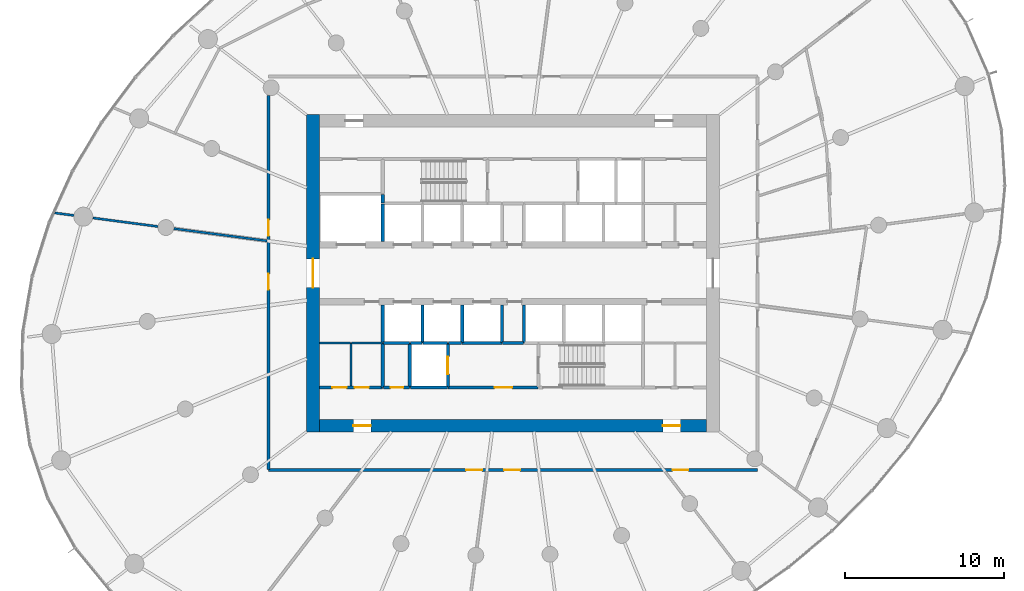
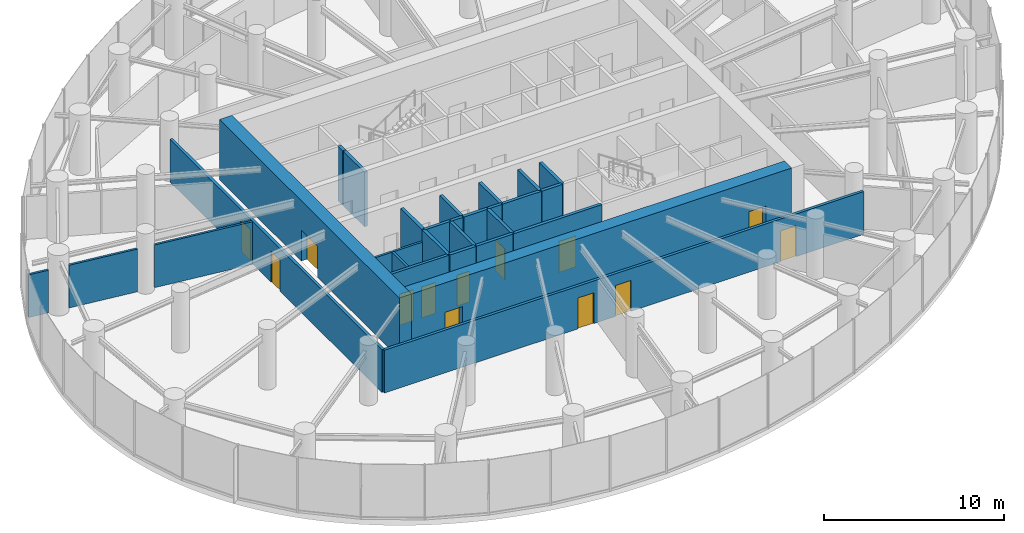
# One storey, part 11 of 18: 30 walls, 13 doors, 13 openings.
"""IFC4 building model written with IfcOpenShell, lengths in metres."""

from ifc_helpers import new_model, si_unit, direction, frame, frame_2d, origin, place, context, subcontext, project, spatial, rectangle, extrude, source, transform, mapped, material, layer, layer_set, type_object, element, fill, save


model = new_model("IFC4")

# Units and contexts
model_context = context("Model", 3, precision=1e-05, world=origin(), true_north=direction((0.0, 1.0)))
body_context = subcontext(model_context, "Body", "Model", "MODEL_VIEW")
ifc_project = project(units=[si_unit("LENGTHUNIT", "METRE"), si_unit("AREAUNIT", "SQUARE_METRE"), si_unit("VOLUMEUNIT", "CUBIC_METRE"), si_unit("PLANEANGLEUNIT", "RADIAN"), si_unit("MASSUNIT", "GRAM", prefix="KILO")], contexts=[model_context])

# Site, building, storey
site_placement = place(None, origin())
site = spatial("IfcSite", under=ifc_project, at=site_placement, CompositionType="ELEMENT")
building_placement = place(site_placement, origin())
building = spatial("IfcBuilding", under=site, at=building_placement, Name="Spindrift Exchange Tower", CompositionType="ELEMENT")
storey_placement = place(building_placement, frame((0.0, 0.0, 116.699951171875)))
storey = spatial("IfcBuildingStorey", under=building, at=storey_placement, Name="L27", CompositionType="ELEMENT", Elevation=116.699951171875)

# Wall, opening, door
ifc_material_1 = material(Name="Concrete 65 MPa", Category="concrete")
ifc_layer_1 = layer(ifc_material_1, 0.800048828125)
ifc_layer_set_1 = layer_set([ifc_layer_1], Name="RC Core Wall 800 Concrete 65 MPa")
wall_type_1 = type_object("IfcWallType", Name="RC Core Wall 800 Concrete 65 MPa", PredefinedType="SHEAR", material=ifc_layer_set_1)
wall_1_placement = place(storey_placement, frame((39.39990234375, 58.0, 0.0), z_axis=(0.0, 0.0, 1.0), x_axis=(0.0, -1.0, 0.0)))
wall_1 = element("IfcWall", 1, at=wall_1_placement, inside=storey, type_object=wall_type_1, Name="Core wall W L27", PredefinedType="SHEAR", context=body_context, shape_type="SweptSolid", body=[
    extrude(rectangle(XDim=20.0, YDim=0.800048828125, at=frame_2d((10.0, 0.0))), origin(), (0.0, 0.0, 1.0), 4.10009765625),
])
opening_1_placement = place(wall_1_placement, frame((9.10009765625, 0.0, 0.0)))
opening_1 = element("IfcOpeningElement", 2, at=opening_1_placement, cuts=wall_1, Name="Opening L27-D1", PredefinedType="OPENING", context=body_context, shape_type="SweptSolid", body=[
    extrude(rectangle(XDim=1.800048828125, YDim=2.10009765625, at=frame_2d((0.89990234375, 1.050048828125))), frame((0.0, 0.409912109375, 0.0), z_axis=(0.0, -1.0, 0.0), x_axis=(1.0, 0.0, 0.0)), (0.0, 0.0, 1.0), 0.820068359375),
])
ifc_material_2 = material(Name="Timber-core fire door", Category="wood")
door_type_1 = type_object("IfcDoorType", Name="DR-LOBBY-1800", OperationType="NOTDEFINED", PredefinedType="DOOR", material=ifc_material_2)
shared_shape_1 = source(origin(), body_context, "Body", "SweptSolid", [
    extrude(rectangle(XDim=1.800048828125, YDim=2.10009765625, at=frame_2d((0.89990234375, 1.050048828125))), frame((0.0, 0.02490234375, 0.0), z_axis=(0.0, -1.0, 0.0), x_axis=(1.0, 0.0, 0.0)), (0.0, 0.0, 1.0), 0.050048828125),
])
door_1_placement = place(opening_1_placement, origin())
door_1 = element("IfcDoor", 3, at=door_1_placement, inside=storey, type_object=door_type_1, Name="L27 Lobby door 1", OperationType="SINGLE_SWING_RIGHT", OverallHeight=2.10009765625, OverallWidth=1.800048828125, PredefinedType="DOOR", context=body_context, shape_type="MappedRepresentation", body=[
    mapped(shared_shape_1, transform((0.0, 0.0, 0.0), scale=1.0)),
])
fill(opening_1, door_1)

# Wall, openings, doors
wall_2_placement = place(storey_placement, frame((39.800048828125, 38.39990234375, 0.0), z_axis=(0.0, 0.0, 1.0), x_axis=(1.0, 0.0, 0.0)))
wall_2 = element("IfcWall", 4, at=wall_2_placement, inside=storey, type_object=wall_type_1, Name="Core wall S L27", PredefinedType="SHEAR", context=body_context, shape_type="SweptSolid", body=[
    extrude(rectangle(XDim=24.39990234375, YDim=0.800048828125, at=frame_2d((12.199951171875, 0.0))), origin(), (0.0, 0.0, 1.0), 4.10009765625),
])
opening_2_placement = place(wall_2_placement, frame((21.64990234375, 0.0, 0.0)))
opening_2 = element("IfcOpeningElement", 5, at=opening_2_placement, cuts=wall_2, Name="Opening L27-D22", PredefinedType="OPENING", context=body_context, shape_type="SweptSolid", body=[
    extrude(rectangle(XDim=1.10009765625, YDim=2.10009765625, at=frame_2d((0.550048828125, 1.050048828125))), frame((0.0, 0.409912109375, 0.0), z_axis=(0.0, -1.0, 0.0), x_axis=(1.0, 0.0, 0.0)), (0.0, 0.0, 1.0), 0.820068359375),
])
opening_3_placement = place(wall_2_placement, frame((2.14990234375, 0.0, 0.0)))
opening_3 = element("IfcOpeningElement", 6, at=opening_3_placement, cuts=wall_2, Name="Opening L27-D23", PredefinedType="OPENING", context=body_context, shape_type="SweptSolid", body=[
    extrude(rectangle(XDim=1.10009765625, YDim=2.10009765625, at=frame_2d((0.550048828125, 1.050048828125))), frame((0.0, 0.409912109375, 0.0), z_axis=(0.0, -1.0, 0.0), x_axis=(1.0, 0.0, 0.0)), (0.0, 0.0, 1.0), 0.820068359375),
])
ifc_material_3 = material(Name="Steel fire door", Category="steel")
door_type_2 = type_object("IfcDoorType", Name="DR-STAIR-1100", OperationType="NOTDEFINED", PredefinedType="DOOR", material=ifc_material_3)
shared_shape_2 = source(origin(), body_context, "Body", "SweptSolid", [
    extrude(rectangle(XDim=1.10009765625, YDim=2.10009765625, at=frame_2d((0.550048828125, 1.050048828125))), frame((0.0, 0.02490234375, 0.0), z_axis=(0.0, -1.0, 0.0), x_axis=(1.0, 0.0, 0.0)), (0.0, 0.0, 1.0), 0.050048828125),
])
door_2_placement = place(opening_2_placement, origin())
door_2 = element("IfcDoor", 7, at=door_2_placement, inside=storey, type_object=door_type_2, Name="L27 Stair door 22", OperationType="SINGLE_SWING_LEFT", OverallHeight=2.10009765625, OverallWidth=1.10009765625, PredefinedType="DOOR", context=body_context, shape_type="MappedRepresentation", body=[
    mapped(shared_shape_2, transform((0.0, 0.0, 0.0), scale=1.0)),
])
fill(opening_2, door_2)
door_3_placement = place(opening_3_placement, origin())
door_3 = element("IfcDoor", 8, at=door_3_placement, inside=storey, type_object=door_type_2, Name="L27 Stair door 23", OperationType="SINGLE_SWING_RIGHT", OverallHeight=2.10009765625, OverallWidth=1.10009765625, PredefinedType="DOOR", context=body_context, shape_type="MappedRepresentation", body=[
    mapped(shared_shape_2, transform((0.0, 0.0, 0.0), scale=1.0)),
])
fill(opening_3, door_3)

ifc_material_4 = material(Name="Fire-rated plasterboard partition", Category="gypsum")
ifc_layer_2 = layer(ifc_material_4, 0.179931640625)
ifc_layer_set_2 = layer_set([ifc_layer_2], Name="W-CORR-180")
wall_type_2 = type_object("IfcWallType", Name="W-CORR-180", PredefinedType="PARTITIONING", material=ifc_layer_set_2)
wall_3_placement = place(storey_placement, frame((39.820068359375, 40.800048828125, 0.0), z_axis=(0.0, 0.0, 1.0), x_axis=(1.0, 0.0, 0.0)))
wall_3 = element("IfcWall", 9, at=wall_3_placement, inside=storey, type_object=wall_type_2, Name="L27 Partition wall 63", PredefinedType="PARTITIONING", context=body_context, shape_type="SweptSolid", body=[
    extrude(rectangle(XDim=3.949951171875, YDim=0.179931640625, at=frame_2d((1.97509765625, 0.0))), origin(), (0.0, 0.0, 1.0), 3.699951171875),
])
opening_4_placement = place(wall_3_placement, frame((0.800048828125, 0.0, 0.0)))
opening_4 = element("IfcOpeningElement", 10, at=opening_4_placement, cuts=wall_3, Name="Opening L27-D44", PredefinedType="OPENING", context=body_context, shape_type="SweptSolid", body=[
    extrude(rectangle(XDim=0.89990234375, YDim=2.10009765625, at=frame_2d((0.449951171875, 1.050048828125))), frame((0.0, 0.099853515625, 0.0), z_axis=(0.0, -1.0, 0.0), x_axis=(1.0, 0.0, 0.0)), (0.0, 0.0, 1.0), 0.199951171875),
])
opening_5_placement = place(wall_3_placement, frame((2.199951171875, 0.0, 0.0)))
opening_5 = element("IfcOpeningElement", 11, at=opening_5_placement, cuts=wall_3, Name="Opening L27-D45", PredefinedType="OPENING", context=body_context, shape_type="SweptSolid", body=[
    extrude(rectangle(XDim=0.89990234375, YDim=2.10009765625, at=frame_2d((0.449951171875, 1.050048828125))), frame((0.0, 0.099853515625, 0.0), z_axis=(0.0, -1.0, 0.0), x_axis=(1.0, 0.0, 0.0)), (0.0, 0.0, 1.0), 0.199951171875),
])
ifc_material_5 = material(Name="Steel access door", Category="steel")
door_type_3 = type_object("IfcDoorType", Name="DR-RISER-900", OperationType="NOTDEFINED", PredefinedType="DOOR", material=ifc_material_5)
shared_shape_3 = source(origin(), body_context, "Body", "SweptSolid", [
    extrude(rectangle(XDim=0.89990234375, YDim=2.10009765625, at=frame_2d((0.449951171875, 1.050048828125))), frame((0.0, 0.02490234375, 0.0), z_axis=(0.0, -1.0, 0.0), x_axis=(1.0, 0.0, 0.0)), (0.0, 0.0, 1.0), 0.050048828125),
])
door_4_placement = place(opening_4_placement, origin())
door_4 = element("IfcDoor", 12, at=door_4_placement, inside=storey, type_object=door_type_3, Name="L27 Riser door 44", OperationType="SINGLE_SWING_LEFT", OverallHeight=2.10009765625, OverallWidth=0.89990234375, PredefinedType="DOOR", context=body_context, shape_type="MappedRepresentation", body=[
    mapped(shared_shape_3, transform((0.0, 0.0, 0.0), scale=1.0)),
])
fill(opening_4, door_4)
door_5_placement = place(opening_5_placement, origin())
door_5 = element("IfcDoor", 13, at=door_5_placement, inside=storey, type_object=door_type_3, Name="L27 Riser door 45", OperationType="SINGLE_SWING_RIGHT", OverallHeight=2.10009765625, OverallWidth=0.89990234375, PredefinedType="DOOR", context=body_context, shape_type="MappedRepresentation", body=[
    mapped(shared_shape_3, transform((0.0, 0.0, 0.0), scale=1.0)),
])
fill(opening_5, door_5)

# Walls
ifc_layer_3 = layer(ifc_material_4, 0.139892578125)
ifc_layer_set_3 = layer_set([ifc_layer_3], Name="W-PART-140")
wall_type_3 = type_object("IfcWallType", Name="W-PART-140", PredefinedType="PARTITIONING", material=ifc_layer_set_3)
wall_4_placement = place(storey_placement, frame((41.800048828125, 40.889892578125, 0.0), z_axis=(0.0, 0.0, 1.0), x_axis=(0.0, 1.0, 0.0)))
element("IfcWall", 14, at=wall_4_placement, inside=storey, type_object=wall_type_3, Name="L27 Partition wall 91", PredefinedType="PARTITIONING", context=body_context, shape_type="SweptSolid", body=[
    extrude(rectangle(XDim=2.710205078125, YDim=0.139892578125, at=frame_2d((1.35498046875, 0.0))), origin(), (0.0, 0.0, 1.0), 2.900146484375),
])
wall_5_placement = place(storey_placement, frame((43.77001953125, 43.60009765625, 0.0), z_axis=(0.0, 0.0, 1.0), x_axis=(-1.0, 0.0, 0.0)))
element("IfcWall", 15, at=wall_5_placement, inside=storey, type_object=wall_type_3, Name="L27 Partition wall 100", PredefinedType="PARTITIONING", context=body_context, shape_type="SweptSolid", body=[
    extrude(rectangle(XDim=1.93994140625, YDim=0.139892578125, at=frame_2d((0.969970703125, 0.0))), origin(), (0.0, 0.0, 1.0), 2.900146484375),
])
wall_6_placement = place(storey_placement, frame((41.77001953125, 43.60009765625, 0.0), z_axis=(0.0, 0.0, 1.0), x_axis=(-1.0, 0.0, 0.0)))
element("IfcWall", 16, at=wall_6_placement, inside=storey, type_object=wall_type_3, Name="L27 Partition wall 105", PredefinedType="PARTITIONING", context=body_context, shape_type="SweptSolid", body=[
    extrude(rectangle(XDim=1.949951171875, YDim=0.139892578125, at=frame_2d((0.97509765625, 0.0))), origin(), (0.0, 0.0, 1.0), 2.900146484375),
])
ifc_layer_4 = layer(ifc_material_4, 0.139892578125)
ifc_layer_set_4 = layer_set([ifc_layer_4], Name="W-PLANT-140")
wall_type_4 = type_object("IfcWallType", Name="W-PLANT-140", PredefinedType="PARTITIONING", material=ifc_layer_set_4)
wall_7_placement = place(storey_placement, frame((36.510009765625, 50.039306640625, 0.0), z_axis=(0.0, 0.0, 1.0), x_axis=(-0.991445034615, 0.130524876315, 0.0)))
element("IfcWall", 17, at=wall_7_placement, inside=storey, type_object=wall_type_4, Name="L27 Partition wall 71", PredefinedType="PARTITIONING", context=body_context, shape_type="SweptSolid", body=[
    extrude(rectangle(XDim=5.923828125, YDim=0.139892578125, at=frame_2d((2.9619140625, 0.0))), origin(), (0.0, 0.0, 1.0), 2.900146484375),
])
wall_8_placement = place(storey_placement, frame((29.63671875, 50.944091796875, 0.0), z_axis=(0.0, 0.0, 1.0), x_axis=(-0.991445054296, 0.130524726824, 0.0)))
element("IfcWall", 18, at=wall_8_placement, inside=storey, type_object=wall_type_4, Name="L27 Partition wall 86", PredefinedType="PARTITIONING", context=body_context, shape_type="SweptSolid", body=[
    extrude(rectangle(XDim=4.137451171875, YDim=0.139892578125, at=frame_2d((2.06884765625, 0.0))), origin(), (0.0, 0.0, 1.0), 2.900146484375),
])
wall_9_placement = place(storey_placement, frame((24.336181640625, 51.64208984375, 0.0), z_axis=(0.0, 0.0, 1.0), x_axis=(-0.991444694364, 0.130527460778, 0.0)))
element("IfcWall", 19, at=wall_9_placement, inside=storey, type_object=wall_type_4, Name="L27 Partition wall 115", PredefinedType="PARTITIONING", context=body_context, shape_type="SweptSolid", body=[
    extrude(rectangle(XDim=1.2119140625, YDim=0.139892578125, at=frame_2d((0.60595703125, 0.0))), origin(), (0.0, 0.0, 1.0), 2.900146484375),
])

# Wall, openings, doors
ifc_layer_5 = layer(ifc_material_4, 0.179931640625)
ifc_layer_set_5 = layer_set([ifc_layer_5], Name="W-PLANT-180")
wall_type_5 = type_object("IfcWallType", Name="W-PLANT-180", PredefinedType="PARTITIONING", material=ifc_layer_set_5)
wall_10_placement = place(storey_placement, frame((67.39990234375, 35.60009765625, 0.0), z_axis=(0.0, 0.0, 1.0), x_axis=(-1.0, 0.0, 0.0)))
wall_10 = element("IfcWall", 20, at=wall_10_placement, inside=storey, type_object=wall_type_5, Name="L27 Partition wall 57", PredefinedType="PARTITIONING", context=body_context, shape_type="SweptSolid", body=[
    extrude(rectangle(XDim=30.7998046875, YDim=0.179931640625, at=frame_2d((15.39990234375, 0.0))), origin(), (0.0, 0.0, 1.0), 2.900146484375),
])
opening_6_placement = place(wall_10_placement, frame((17.35009765625, 0.0, 0.0)))
opening_6 = element("IfcOpeningElement", 21, at=opening_6_placement, cuts=wall_10, Name="Opening L27-D36", PredefinedType="OPENING", context=body_context, shape_type="SweptSolid", body=[
    extrude(rectangle(XDim=1.0, YDim=2.10009765625, at=frame_2d((0.5, 1.050048828125))), frame((0.0, 0.099853515625, 0.0), z_axis=(0.0, -1.0, 0.0), x_axis=(1.0, 0.0, 0.0)), (0.0, 0.0, 1.0), 0.199951171875),
])
opening_7_placement = place(wall_10_placement, frame((14.949951171875, 0.0, 0.0)))
opening_7 = element("IfcOpeningElement", 22, at=opening_7_placement, cuts=wall_10, Name="Opening L27-D37", PredefinedType="OPENING", context=body_context, shape_type="SweptSolid", body=[
    extrude(rectangle(XDim=1.0, YDim=2.10009765625, at=frame_2d((0.5, 1.050048828125))), frame((0.0, 0.099853515625, 0.0), z_axis=(0.0, -1.0, 0.0), x_axis=(1.0, 0.0, 0.0)), (0.0, 0.0, 1.0), 0.199951171875),
])
opening_8_placement = place(wall_10_placement, frame((4.35009765625, 0.0, 0.0)))
opening_8 = element("IfcOpeningElement", 23, at=opening_8_placement, cuts=wall_10, Name="Opening L27-D38", PredefinedType="OPENING", context=body_context, shape_type="SweptSolid", body=[
    extrude(rectangle(XDim=1.0, YDim=2.10009765625, at=frame_2d((0.5, 1.050048828125))), frame((0.0, 0.099853515625, 0.0), z_axis=(0.0, -1.0, 0.0), x_axis=(1.0, 0.0, 0.0)), (0.0, 0.0, 1.0), 0.199951171875),
])
door_type_4 = type_object("IfcDoorType", Name="DR-ROOM-1000", OperationType="NOTDEFINED", PredefinedType="DOOR", material=ifc_material_2)
shared_shape_4 = source(origin(), body_context, "Body", "SweptSolid", [
    extrude(rectangle(XDim=1.0, YDim=2.10009765625, at=frame_2d((0.5, 1.050048828125))), frame((0.0, 0.02490234375, 0.0), z_axis=(0.0, -1.0, 0.0), x_axis=(1.0, 0.0, 0.0)), (0.0, 0.0, 1.0), 0.050048828125),
])
door_6_placement = place(opening_6_placement, origin())
door_6 = element("IfcDoor", 24, at=door_6_placement, inside=storey, type_object=door_type_4, Name="L27 Door 36", OperationType="SINGLE_SWING_LEFT", OverallHeight=2.10009765625, OverallWidth=1.0, PredefinedType="DOOR", context=body_context, shape_type="MappedRepresentation", body=[
    mapped(shared_shape_4, transform((0.0, 0.0, 0.0), scale=1.0)),
])
fill(opening_6, door_6)
door_7_placement = place(opening_7_placement, origin())
door_7 = element("IfcDoor", 25, at=door_7_placement, inside=storey, type_object=door_type_4, Name="L27 Door 37", OperationType="SINGLE_SWING_RIGHT", OverallHeight=2.10009765625, OverallWidth=1.0, PredefinedType="DOOR", context=body_context, shape_type="MappedRepresentation", body=[
    mapped(shared_shape_4, transform((0.0, 0.0, 0.0), scale=1.0)),
])
fill(opening_7, door_7)
door_8_placement = place(opening_8_placement, origin())
door_8 = element("IfcDoor", 26, at=door_8_placement, inside=storey, type_object=door_type_4, Name="L27 Door 38", OperationType="SINGLE_SWING_LEFT", OverallHeight=2.10009765625, OverallWidth=1.0, PredefinedType="DOOR", context=body_context, shape_type="MappedRepresentation", body=[
    mapped(shared_shape_4, transform((0.0, 0.0, 0.0), scale=1.0)),
])
fill(opening_8, door_8)

wall_11_placement = place(storey_placement, frame((36.60009765625, 35.6298828125, 0.0), z_axis=(0.0, 0.0, 1.0), x_axis=(0.0, 1.0, 0.0)))
wall_11 = element("IfcWall", 27, at=wall_11_placement, inside=storey, type_object=wall_type_5, Name="L27 Partition wall 60", PredefinedType="PARTITIONING", context=body_context, shape_type="SweptSolid", body=[
    extrude(rectangle(XDim=23.58251953125, YDim=0.179931640625, at=frame_2d((11.791259765625, 0.0))), origin(), (0.0, 0.0, 1.0), 2.900146484375),
])
opening_9_placement = place(wall_11_placement, frame((14.732421875, 0.0, 0.0)))
opening_9 = element("IfcOpeningElement", 28, at=opening_9_placement, cuts=wall_11, Name="Opening L27-D34", PredefinedType="OPENING", context=body_context, shape_type="SweptSolid", body=[
    extrude(rectangle(XDim=1.0, YDim=2.10009765625, at=frame_2d((0.5, 1.050048828125))), frame((0.0, 0.099853515625, 0.0), z_axis=(0.0, -1.0, 0.0), x_axis=(1.0, 0.0, 0.0)), (0.0, 0.0, 1.0), 0.199951171875),
])
opening_10_placement = place(wall_11_placement, frame((11.33251953125, 0.0, 0.0)))
opening_10 = element("IfcOpeningElement", 29, at=opening_10_placement, cuts=wall_11, Name="Opening L27-D35", PredefinedType="OPENING", context=body_context, shape_type="SweptSolid", body=[
    extrude(rectangle(XDim=1.0, YDim=2.10009765625, at=frame_2d((0.5, 1.050048828125))), frame((0.0, 0.099853515625, 0.0), z_axis=(0.0, -1.0, 0.0), x_axis=(1.0, 0.0, 0.0)), (0.0, 0.0, 1.0), 0.199951171875),
])
door_9_placement = place(opening_9_placement, origin())
door_9 = element("IfcDoor", 30, at=door_9_placement, inside=storey, type_object=door_type_4, Name="L27 Door 34", OperationType="SINGLE_SWING_LEFT", OverallHeight=2.10009765625, OverallWidth=1.0, PredefinedType="DOOR", context=body_context, shape_type="MappedRepresentation", body=[
    mapped(shared_shape_4, transform((0.0, 0.0, 0.0), scale=1.0)),
])
fill(opening_9, door_9)
door_10_placement = place(opening_10_placement, origin())
door_10 = element("IfcDoor", 31, at=door_10_placement, inside=storey, type_object=door_type_4, Name="L27 Door 35", OperationType="SINGLE_SWING_RIGHT", OverallHeight=2.10009765625, OverallWidth=1.0, PredefinedType="DOOR", context=body_context, shape_type="MappedRepresentation", body=[
    mapped(shared_shape_4, transform((0.0, 0.0, 0.0), scale=1.0)),
])
fill(opening_10, door_10)

# Walls
ifc_material_6 = material(Name="Concrete 40 MPa", Category="concrete")
ifc_layer_6 = layer(ifc_material_6, 0.199951171875)
ifc_layer_set_6 = layer_set([ifc_layer_6], Name="W-SHAFT-200")
wall_type_6 = type_object("IfcWallType", Name="W-SHAFT-200", PredefinedType="SOLIDWALL", material=ifc_layer_set_6)
for number, where, z_axis, x_axis, name in (
    (32, (43.800048828125, 43.60009765625, 0.0), (0.0, 0.0, 1.0), (0.0, -1.0, 0.0), "L27 Shaft wall 6"),
    (33, (45.5, 43.60009765625, 0.0), (0.0, 0.0, 1.0), (0.0, -1.0, 0.0), "L27 Shaft wall 7"),
):
    element("IfcWall", number, at=place(storey_placement, frame(where, z_axis=z_axis, x_axis=x_axis)), inside=storey, type_object=wall_type_6, Name=name, PredefinedType="SOLIDWALL", context=body_context, shape_type="SweptSolid", body=[
        extrude(rectangle(XDim=2.800048828125, YDim=0.199951171875, at=frame_2d((1.39990234375, 0.0))), origin(), (0.0, 0.0, 1.0), 3.699951171875),
    ])

# Wall, opening, door
wall_12_placement = place(storey_placement, frame((47.89990234375, 40.830078125, 0.0), z_axis=(0.0, 0.0, 1.0), x_axis=(0.0, 1.0, 0.0)))
wall_12 = element("IfcWall", 34, at=wall_12_placement, inside=storey, type_object=wall_type_6, Name="L27 Shaft wall 8", PredefinedType="SOLIDWALL", context=body_context, shape_type="SweptSolid", body=[
    extrude(rectangle(XDim=2.77001953125, YDim=0.199951171875, at=frame_2d((1.385009765625, 0.0))), origin(), (0.0, 0.0, 1.0), 3.699951171875),
])
opening_11_placement = place(wall_12_placement, frame((0.820068359375, 0.0, 0.0)))
opening_11 = element("IfcOpeningElement", 35, at=opening_11_placement, cuts=wall_12, Name="Opening L27-D10", PredefinedType="OPENING", context=body_context, shape_type="SweptSolid", body=[
    extrude(rectangle(XDim=1.10009765625, YDim=2.10009765625, at=frame_2d((0.550048828125, 1.050048828125))), frame((0.0, 0.10986328125, 0.0), z_axis=(0.0, -1.0, 0.0), x_axis=(1.0, 0.0, 0.0)), (0.0, 0.0, 1.0), 0.219970703125),
])
ifc_material_7 = material(Name="Stainless steel landing door", Category="steel")
door_type_5 = type_object("IfcDoorType", Name="DR-LANDING-1100-SL", OperationType="DOUBLE_DOOR_SLIDING", PredefinedType="USERDEFINED", material=ifc_material_7)
shared_shape_5 = source(origin(), body_context, "Body", "SweptSolid", [
    extrude(rectangle(XDim=1.10009765625, YDim=2.10009765625, at=frame_2d((0.550048828125, 1.050048828125))), frame((0.0, 0.02490234375, 0.0), z_axis=(0.0, -1.0, 0.0), x_axis=(1.0, 0.0, 0.0)), (0.0, 0.0, 1.0), 0.050048828125),
])
door_11_placement = place(opening_11_placement, origin())
door_11 = element("IfcDoor", 36, at=door_11_placement, inside=storey, type_object=door_type_5, Name="L27 Lift landing door 10", ObjectType="LANDING DOOR", OperationType="DOUBLE_DOOR_SLIDING", OverallHeight=2.10009765625, OverallWidth=1.10009765625, PredefinedType="USERDEFINED", context=body_context, shape_type="MappedRepresentation", body=[
    mapped(shared_shape_5, transform((0.0, 0.0, 0.0), scale=1.0)),
])
fill(opening_11, door_11)

# Walls
wall_13_placement = place(storey_placement, frame((48.800048828125, 43.60009765625, 0.0), z_axis=(0.0, 0.0, 1.0), x_axis=(1.0, 0.0, 0.0)))
element("IfcWall", 37, at=wall_13_placement, inside=storey, type_object=wall_type_6, Name="L27 Shaft wall 17", PredefinedType="SOLIDWALL", context=body_context, shape_type="SweptSolid", body=[
    extrude(rectangle(XDim=2.5, YDim=0.199951171875, at=frame_2d((1.25, 0.0))), origin(), (0.0, 0.0, 1.0), 3.699951171875),
])
wall_14_placement = place(storey_placement, frame((45.530029296875, 40.800048828125, 0.0), z_axis=(0.0, 0.0, 1.0), x_axis=(1.0, 0.0, 0.0)))
element("IfcWall", 38, at=wall_14_placement, inside=storey, type_object=wall_type_6, Name="L27 Shaft wall 21", PredefinedType="SOLIDWALL", context=body_context, shape_type="SweptSolid", body=[
    extrude(rectangle(XDim=2.340087890625, YDim=0.199951171875, at=frame_2d((1.169921875, 0.0))), origin(), (0.0, 0.0, 1.0), 3.699951171875),
])
wall_15_placement = place(storey_placement, frame((43.800048828125, 45.989990234375, 0.0), z_axis=(0.0, 0.0, 1.0), x_axis=(0.0, -1.0, 0.0)))
element("IfcWall", 39, at=wall_15_placement, inside=storey, type_object=wall_type_6, Name="L27 Shaft wall 23", PredefinedType="SOLIDWALL", context=body_context, shape_type="SweptSolid", body=[
    extrude(rectangle(XDim=2.360107421875, YDim=0.199951171875, at=frame_2d((1.18017578125, 0.0))), origin(), (0.0, 0.0, 1.0), 3.699951171875),
])
wall_16_placement = place(storey_placement, frame((46.300048828125, 43.60009765625, 0.0), z_axis=(0.0, 0.0, 1.0), x_axis=(0.0, 1.0, 0.0)))
element("IfcWall", 40, at=wall_16_placement, inside=storey, type_object=wall_type_6, Name="L27 Shaft wall 25", PredefinedType="SOLIDWALL", context=body_context, shape_type="SweptSolid", body=[
    extrude(rectangle(XDim=2.389892578125, YDim=0.199951171875, at=frame_2d((1.19482421875, 0.0))), origin(), (0.0, 0.0, 1.0), 3.699951171875),
])
for number, where, z_axis, x_axis, name in (
    (41, (48.800048828125, 43.6298828125, 0.0), (0.0, 0.0, 1.0), (0.0, 1.0, 0.0), "L27 Shaft wall 27"),
    (42, (51.300048828125, 43.6298828125, 0.0), (0.0, 0.0, 1.0), (0.0, 1.0, 0.0), "L27 Shaft wall 29"),
):
    element("IfcWall", number, at=place(storey_placement, frame(where, z_axis=z_axis, x_axis=x_axis)), inside=storey, type_object=wall_type_6, Name=name, PredefinedType="SOLIDWALL", context=body_context, shape_type="SweptSolid", body=[
        extrude(rectangle(XDim=2.360107421875, YDim=0.199951171875, at=frame_2d((1.18017578125, 0.0))), origin(), (0.0, 0.0, 1.0), 3.699951171875),
    ])
wall_17_placement = place(storey_placement, frame((52.699951171875, 45.989990234375, 0.0), z_axis=(0.0, 0.0, 1.0), x_axis=(0.0, -1.0, 0.0)))
element("IfcWall", 43, at=wall_17_placement, inside=storey, type_object=wall_type_6, Name="L27 Shaft wall 31", PredefinedType="SOLIDWALL", context=body_context, shape_type="SweptSolid", body=[
    extrude(rectangle(XDim=2.389892578125, YDim=0.199951171875, at=frame_2d((1.19482421875, 0.0))), origin(), (0.0, 0.0, 1.0), 3.699951171875),
])
wall_18_placement = place(storey_placement, frame((43.830078125, 43.60009765625, 0.0), z_axis=(0.0, 0.0, 1.0), x_axis=(1.0, 0.0, 0.0)))
element("IfcWall", 44, at=wall_18_placement, inside=storey, type_object=wall_type_6, Name="L27 Shaft wall 40", PredefinedType="SOLIDWALL", context=body_context, shape_type="SweptSolid", body=[
    extrude(rectangle(XDim=1.639892578125, YDim=0.199951171875, at=frame_2d((0.81982421875, 0.0))), origin(), (0.0, 0.0, 1.0), 3.699951171875),
])

# Wall, opening, door
wall_19_placement = place(storey_placement, frame((43.830078125, 40.800048828125, 0.0), z_axis=(0.0, 0.0, 1.0), x_axis=(1.0, 0.0, 0.0)))
wall_19 = element("IfcWall", 45, at=wall_19_placement, inside=storey, type_object=wall_type_6, Name="L27 Shaft wall 41", PredefinedType="SOLIDWALL", context=body_context, shape_type="SweptSolid", body=[
    extrude(rectangle(XDim=1.639892578125, YDim=0.199951171875, at=frame_2d((0.81982421875, 0.0))), origin(), (0.0, 0.0, 1.0), 3.699951171875),
])
opening_12_placement = place(wall_19_placement, frame((0.469970703125, 0.0, 0.0)))
opening_12 = element("IfcOpeningElement", 46, at=opening_12_placement, cuts=wall_19, Name="Opening L27-D19", PredefinedType="OPENING", context=body_context, shape_type="SweptSolid", body=[
    extrude(rectangle(XDim=0.800048828125, YDim=2.10009765625, at=frame_2d((0.39990234375, 1.050048828125))), frame((0.0, 0.10986328125, 0.0), z_axis=(0.0, -1.0, 0.0), x_axis=(1.0, 0.0, 0.0)), (0.0, 0.0, 1.0), 0.219970703125),
])
door_type_6 = type_object("IfcDoorType", Name="DR-RISER-800", OperationType="NOTDEFINED", PredefinedType="DOOR", material=ifc_material_5)
shared_shape_6 = source(origin(), body_context, "Body", "SweptSolid", [
    extrude(rectangle(XDim=0.800048828125, YDim=2.10009765625, at=frame_2d((0.39990234375, 1.050048828125))), frame((0.0, 0.02490234375, 0.0), z_axis=(0.0, -1.0, 0.0), x_axis=(1.0, 0.0, 0.0)), (0.0, 0.0, 1.0), 0.050048828125),
])
door_12_placement = place(opening_12_placement, origin())
door_12 = element("IfcDoor", 47, at=door_12_placement, inside=storey, type_object=door_type_6, Name="L27 Riser door 19", OperationType="SINGLE_SWING_RIGHT", OverallHeight=2.10009765625, OverallWidth=0.800048828125, PredefinedType="DOOR", context=body_context, shape_type="MappedRepresentation", body=[
    mapped(shared_shape_6, transform((0.0, 0.0, 0.0), scale=1.0)),
])
fill(opening_12, door_12)

# Walls
wall_20_placement = place(storey_placement, frame((46.330078125, 43.60009765625, 0.0), z_axis=(0.0, 0.0, 1.0), x_axis=(1.0, 0.0, 0.0)))
element("IfcWall", 48, at=wall_20_placement, inside=storey, type_object=wall_type_6, Name="L27 Shaft wall 44", PredefinedType="SOLIDWALL", context=body_context, shape_type="SweptSolid", body=[
    extrude(rectangle(XDim=1.5400390625, YDim=0.199951171875, at=frame_2d((0.77001953125, 0.0))), origin(), (0.0, 0.0, 1.0), 3.699951171875),
])
wall_21_placement = place(storey_placement, frame((52.669921875, 43.60009765625, 0.0), z_axis=(0.0, 0.0, 1.0), x_axis=(-1.0, 0.0, 0.0)))
element("IfcWall", 49, at=wall_21_placement, inside=storey, type_object=wall_type_6, Name="L27 Shaft wall 48", PredefinedType="SOLIDWALL", context=body_context, shape_type="SweptSolid", body=[
    extrude(rectangle(XDim=1.33984375, YDim=0.199951171875, at=frame_2d((0.669921875, 0.0))), origin(), (0.0, 0.0, 1.0), 3.699951171875),
])
wall_22_placement = place(storey_placement, frame((47.929931640625, 43.60009765625, 0.0), z_axis=(0.0, 0.0, 1.0), x_axis=(1.0, 0.0, 0.0)))
element("IfcWall", 50, at=wall_22_placement, inside=storey, type_object=wall_type_6, Name="L27 Shaft wall 50", PredefinedType="SOLIDWALL", context=body_context, shape_type="SweptSolid", body=[
    extrude(rectangle(XDim=0.840087890625, YDim=0.199951171875, at=frame_2d((0.419921875, 0.0))), origin(), (0.0, 0.0, 1.0), 3.699951171875),
])
wall_23_placement = place(storey_placement, frame((45.530029296875, 43.60009765625, 0.0), z_axis=(0.0, 0.0, 1.0), x_axis=(1.0, 0.0, 0.0)))
element("IfcWall", 51, at=wall_23_placement, inside=storey, type_object=wall_type_6, Name="L27 Shaft wall 54", PredefinedType="SOLIDWALL", context=body_context, shape_type="SweptSolid", body=[
    extrude(rectangle(XDim=0.739990234375, YDim=0.199951171875, at=frame_2d((0.3701171875, 0.0))), origin(), (0.0, 0.0, 1.0), 3.699951171875),
])

# Wall, opening, door
ifc_layer_7 = layer(ifc_material_6, 0.199951171875)
ifc_layer_set_7 = layer_set([ifc_layer_7], Name="W-SHAFT-200-LB")
wall_type_7 = type_object("IfcWallType", Name="W-SHAFT-200-LB", PredefinedType="SOLIDWALL", material=ifc_layer_set_7)
wall_24_placement = place(storey_placement, frame((47.89990234375, 40.800048828125, 0.0), z_axis=(0.0, 0.0, 1.0), x_axis=(1.0, 0.0, 0.0)))
wall_24 = element("IfcWall", 52, at=wall_24_placement, inside=storey, type_object=wall_type_7, Name="L27 Shaft wall 3", PredefinedType="SOLIDWALL", context=body_context, shape_type="SweptSolid", body=[
    extrude(rectangle(XDim=5.670166015625, YDim=0.199951171875, at=frame_2d((2.8349609375, 0.0))), origin(), (0.0, 0.0, 1.0), 3.699951171875),
])
opening_13_placement = place(wall_24_placement, frame((2.949951171875, 0.0, 0.0)))
opening_13 = element("IfcOpeningElement", 53, at=opening_13_placement, cuts=wall_24, Name="Opening L27-D18", PredefinedType="OPENING", context=body_context, shape_type="SweptSolid", body=[
    extrude(rectangle(XDim=1.10009765625, YDim=2.10009765625, at=frame_2d((0.550048828125, 1.050048828125))), frame((0.0, 0.10986328125, 0.0), z_axis=(0.0, -1.0, 0.0), x_axis=(1.0, 0.0, 0.0)), (0.0, 0.0, 1.0), 0.219970703125),
])
door_type_7 = type_object("IfcDoorType", Name="DR-LOBBY-1100", OperationType="NOTDEFINED", PredefinedType="DOOR", material=ifc_material_2)
shared_shape_7 = source(origin(), body_context, "Body", "SweptSolid", [
    extrude(rectangle(XDim=1.10009765625, YDim=2.10009765625, at=frame_2d((0.550048828125, 1.050048828125))), frame((0.0, 0.02490234375, 0.0), z_axis=(0.0, -1.0, 0.0), x_axis=(1.0, 0.0, 0.0)), (0.0, 0.0, 1.0), 0.050048828125),
])
door_13_placement = place(opening_13_placement, origin())
door_13 = element("IfcDoor", 54, at=door_13_placement, inside=storey, type_object=door_type_7, Name="L27 Lobby door 18", OperationType="SINGLE_SWING_LEFT", OverallHeight=2.10009765625, OverallWidth=1.10009765625, PredefinedType="DOOR", context=body_context, shape_type="MappedRepresentation", body=[
    mapped(shared_shape_7, transform((0.0, 0.0, 0.0), scale=1.0)),
])
fill(opening_13, door_13)

# Walls
wall_25_placement = place(storey_placement, frame((43.800048828125, 52.3701171875, 0.0), z_axis=(0.0, 0.0, 1.0), x_axis=(0.0, -1.0, 0.0)))
element("IfcWall", 55, at=wall_25_placement, inside=storey, type_object=wall_type_7, Name="L27 Shaft wall 24", PredefinedType="SOLIDWALL", context=body_context, shape_type="SweptSolid", body=[
    extrude(rectangle(XDim=2.360107421875, YDim=0.199951171875, at=frame_2d((1.18017578125, 0.0))), origin(), (0.0, 0.0, 1.0), 3.699951171875),
])
wall_26_placement = place(storey_placement, frame((43.800048828125, 52.429931640625, 0.0), z_axis=(0.0, 0.0, 1.0), x_axis=(0.0, 1.0, 0.0)))
element("IfcWall", 56, at=wall_26_placement, inside=storey, type_object=wall_type_7, Name="L27 Shaft wall 56", PredefinedType="SOLIDWALL", context=body_context, shape_type="SweptSolid", body=[
    extrude(rectangle(XDim=0.5400390625, YDim=0.199951171875, at=frame_2d((0.27001953125, 0.0))), origin(), (0.0, 0.0, 1.0), 3.699951171875),
])

save(model, "model.ifc")
